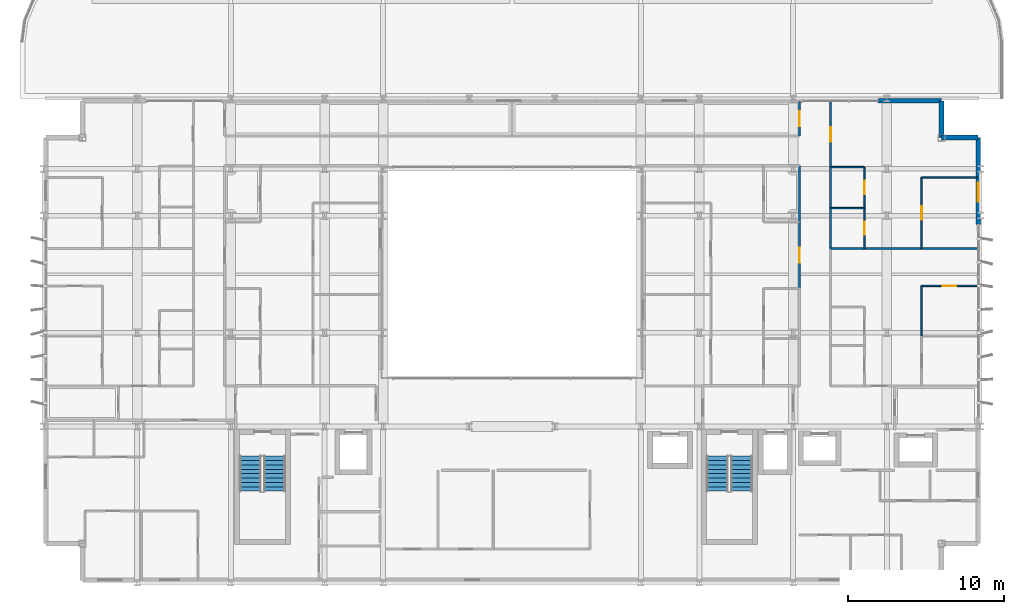
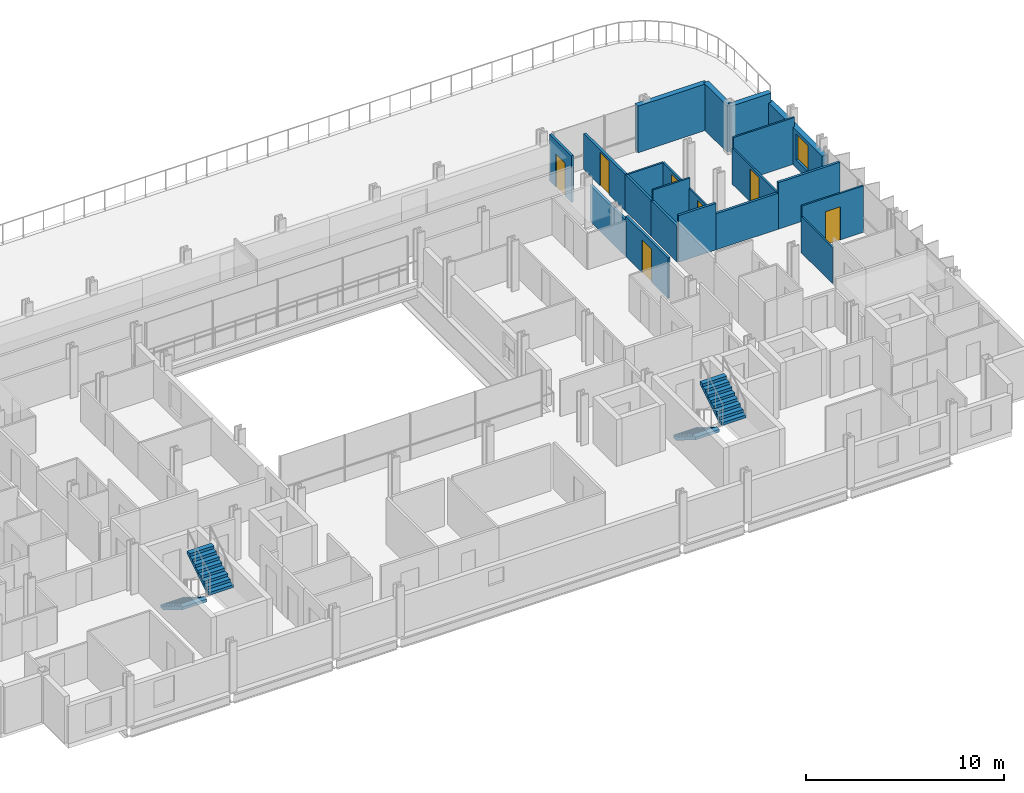
# One storey, part 32 of 38: 21 walls, 7 doors, 4 stair flights, 1 window, 8 openings, 2 elements without a shape of their own.
"""IFC4 building model written with IfcOpenShell, lengths in metres."""

from ifc_helpers import new_model, si_unit, direction, frame, frame_2d, origin, place, context, subcontext, project, spatial, polyline, rectangle, outline, extrude, material, layer, layer_set, type_object, element, fill, aggregate, save


model = new_model("IFC4")

# Units and contexts
model_context = context("Model", 3, precision=1e-05, world=origin(), true_north=direction((0.0, 1.0)))
body_context = subcontext(model_context, "Body", "Model", "MODEL_VIEW")
ifc_project = project(units=[si_unit("LENGTHUNIT", "METRE"), si_unit("AREAUNIT", "SQUARE_METRE"), si_unit("VOLUMEUNIT", "CUBIC_METRE"), si_unit("PLANEANGLEUNIT", "RADIAN"), si_unit("MASSUNIT", "GRAM", prefix="KILO")], contexts=[model_context])

# Site, building, storey
site_placement = place(None, origin())
site = spatial("IfcSite", under=ifc_project, at=site_placement, CompositionType="ELEMENT")
building_placement = place(site_placement, origin())
building = spatial("IfcBuilding", under=site, at=building_placement, Name="Brevholm Reach", CompositionType="ELEMENT")
storey_placement = place(building_placement, frame((0.0, 0.0, 28.0)))
storey = spatial("IfcBuildingStorey", under=building, at=storey_placement, Name="L06", CompositionType="ELEMENT", Elevation=28.0)

# Walls
ifc_material_1 = material(Name="Concrete C40/50", Category="concrete")
ifc_layer_1 = layer(ifc_material_1, 0.300048828125)
ifc_layer_set_1 = layer_set([ifc_layer_1], Name="Concrete C40/50")
wall_type_1 = type_object("IfcWallType", Name="WAL-EXT-300", PredefinedType="STANDARD", material=ifc_layer_set_1)
for number, where, z_axis, x_axis, name in (
    (1, (59.85009765625, 28.5, 0.0), (0.0, 0.0, 1.0), (-1.0, 0.0, 0.0), "L06 Facade Wall WAL-L06-CNE1"),
    (2, (57.5, 28.5, 0.0), (0.0, 0.0, 1.0), (0.0, 1.0, 0.0), "L06 Facade Wall WAL-L06-CNE2"),
):
    element("IfcWall", number, at=place(storey_placement, frame(where, z_axis=z_axis, x_axis=x_axis)), inside=storey, type_object=wall_type_1, Name=name, PredefinedType="STANDARD", context=body_context, shape_type="SweptSolid", body=[
        extrude(rectangle(XDim=2.35009765625, YDim=0.300048828125, at=frame_2d((1.175048828125, 0.0))), origin(), (0.0, 0.0, 1.0), 2.8701171875),
    ])

# Wall, opening, window
wall_1_placement = place(storey_placement, frame((59.85009765625, 22.949951171875, 0.0), z_axis=(0.0, 0.0, 1.0), x_axis=(0.0, 1.0, 0.0)))
wall_1 = element("IfcWall", 3, at=wall_1_placement, inside=storey, type_object=wall_type_1, Name="L06 Facade Wall WAL-L06-E-N", PredefinedType="STANDARD", context=body_context, shape_type="SweptSolid", body=[
    extrude(rectangle(XDim=5.550048828125, YDim=0.300048828125, at=frame_2d((2.77490234375, 0.0))), origin(), (0.0, 0.0, 1.0), 2.305419921875),
])
opening_1_placement = place(wall_1_placement, frame((1.449951171875, 0.0, 0.485107421875)))
opening_1 = element("IfcOpeningElement", 4, at=opening_1_placement, cuts=wall_1, Name="Opening WN-08", PredefinedType="OPENING", context=body_context, shape_type="SweptSolid", body=[
    extrude(rectangle(XDim=1.199951171875, YDim=1.60009765625, at=frame_2d((0.60009765625, 0.800048828125))), frame((0.0, 0.159912109375, 0.0), z_axis=(0.0, -1.0, 0.0), x_axis=(1.0, 0.0, 0.0)), (0.0, 0.0, 1.0), 0.320068359375),
])
ifc_material_2 = material(Name="Dark Anodised Aluminium and Solar-Control IGU Glass", Category="aluminium")
window_type = type_object("IfcWindowType", Name="WIN-RES-1200", PartitioningType="SINGLE_PANEL", PredefinedType="WINDOW", material=ifc_material_2)
window_placement = place(opening_1_placement, origin())
window = element("IfcWindow", 5, at=window_placement, inside=storey, type_object=window_type, Name="L06 Window WIN-L06-EN-1", OverallHeight=1.60009765625, OverallWidth=1.199951171875, PartitioningType="SINGLE_PANEL", PredefinedType="WINDOW", context=body_context, shape_type="SweptSolid", body=[
    extrude(rectangle(XDim=1.199951171875, YDim=1.60009765625, at=frame_2d((0.60009765625, 0.800048828125))), frame((0.0, 0.030029296875, 0.0), z_axis=(0.0, -1.0, 0.0), x_axis=(1.0, 0.0, 0.0)), (0.0, 0.0, 1.0), 0.06005859375),
])
fill(opening_1, window)

# Wall
wall_2_placement = place(storey_placement, frame((53.449951171875, 30.85009765625, 0.0), z_axis=(0.0, 0.0, 1.0), x_axis=(1.0, 0.0, 0.0)))
element("IfcWall", 6, at=wall_2_placement, inside=storey, type_object=wall_type_1, Name="L06 Facade Wall WAL-L06-NP-E0", PredefinedType="STANDARD", context=body_context, shape_type="SweptSolid", body=[
    extrude(rectangle(XDim=4.050048828125, YDim=0.300048828125, at=frame_2d((2.02490234375, 0.0))), origin(), (0.0, 0.0, 1.0), 2.8701171875),
])

# Wall, opening, door
ifc_material_3 = material(Name="Moisture-Resistant Acoustic Gypsum Stud Partition 100 mm", Category="gypsum")
ifc_layer_2 = layer(ifc_material_3, 0.10009765625)
ifc_layer_set_2 = layer_set([ifc_layer_2], Name="Moisture-Resistant Acoustic Gypsum Stud Partition 100 mm")
wall_type_2 = type_object("IfcWallType", Name="WAL-PRT-100", PredefinedType="PARTITIONING", material=ifc_layer_set_2)
wall_3_placement = place(storey_placement, frame((56.22802734375, 19.0, 0.0), z_axis=(0.0, 0.0, 1.0), x_axis=(1.0, 0.0, 0.0)))
wall_3 = element("IfcWall", 7, at=wall_3_placement, inside=storey, type_object=wall_type_2, Name="L06 Internal Partition 134", PredefinedType="PARTITIONING", context=body_context, shape_type="SweptSolid", body=[
    extrude(rectangle(XDim=3.572021484375, YDim=0.10009765625, at=frame_2d((1.7861328125, 0.0))), origin(), (0.0, 0.0, 1.0), 2.8701171875),
])
opening_2_placement = place(wall_3_placement, frame((1.345947265625, 0.0, 0.0)))
opening_2 = element("IfcOpeningElement", 8, at=opening_2_placement, cuts=wall_3, Name="Opening ID-01", PredefinedType="OPENING", context=body_context, shape_type="SweptSolid", body=[
    extrude(rectangle(XDim=0.8798828125, YDim=2.0400390625, at=frame_2d((0.43994140625, 1.02001953125))), frame((0.0, 0.06005859375, 0.0), z_axis=(0.0, -1.0, 0.0), x_axis=(1.0, 0.0, 0.0)), (0.0, 0.0, 1.0), 0.1201171875),
])
ifc_material_4 = material(Name="Lacquered Ash Solid-Core Acoustic Internal Door", Category="timber")
door_type_1 = type_object("IfcDoorType", Name="DOR-INT-880", OperationType="NOTDEFINED", PredefinedType="DOOR", material=ifc_material_4)
door_1_placement = place(opening_2_placement, origin())
door_1 = element("IfcDoor", 9, at=door_1_placement, inside=storey, type_object=door_type_1, Name="L06 Internal Door 052", OperationType="SINGLE_SWING_LEFT", OverallHeight=2.0400390625, OverallWidth=0.8798828125, PredefinedType="DOOR", context=body_context, shape_type="SweptSolid", body=[
    extrude(rectangle(XDim=0.8798828125, YDim=2.0400390625, at=frame_2d((0.43994140625, 1.02001953125))), frame((0.0, 0.02490234375, 0.0), z_axis=(0.0, -1.0, 0.0), x_axis=(1.0, 0.0, 0.0)), (0.0, 0.0, 1.0), 0.050048828125),
])
fill(opening_2, door_1)

# Walls
wall_4_placement = place(storey_placement, frame((56.22802734375, 15.803955078125, 0.0), z_axis=(0.0, 0.0, 1.0), x_axis=(0.0, 1.0, 0.0)))
element("IfcWall", 10, at=wall_4_placement, inside=storey, type_object=wall_type_2, Name="L06 Internal Partition 135", PredefinedType="PARTITIONING", context=body_context, shape_type="SweptSolid", body=[
    extrude(rectangle(XDim=3.196044921875, YDim=0.10009765625, at=frame_2d((1.59814453125, 0.0))), origin(), (0.0, 0.0, 1.0), 2.224853515625),
])
wall_5_placement = place(storey_placement, frame((50.404052734375, 23.97802734375, 0.0), z_axis=(0.0, 0.0, 1.0), x_axis=(1.0, 0.0, 0.0)))
element("IfcWall", 11, at=wall_5_placement, inside=storey, type_object=wall_type_2, Name="L06 Internal Partition 139", PredefinedType="PARTITIONING", context=body_context, shape_type="SweptSolid", body=[
    extrude(rectangle(XDim=2.157958984375, YDim=0.10009765625, at=frame_2d((1.0791015625, 0.0))), origin(), (0.0, 0.0, 1.0), 2.8701171875),
])

# Wall, opening, door
wall_6_placement = place(storey_placement, frame((52.56201171875, 21.404052734375, 0.0), z_axis=(0.0, 0.0, 1.0), x_axis=(0.0, 1.0, 0.0)))
wall_6 = element("IfcWall", 12, at=wall_6_placement, inside=storey, type_object=wall_type_2, Name="L06 Internal Partition 140", PredefinedType="PARTITIONING", context=body_context, shape_type="SweptSolid", body=[
    extrude(rectangle(XDim=2.573974609375, YDim=0.10009765625, at=frame_2d((1.287109375, 0.0))), origin(), (0.0, 0.0, 1.0), 2.224853515625),
])
opening_3_placement = place(wall_6_placement, frame((0.876953125, 0.0, 0.0)))
opening_3 = element("IfcOpeningElement", 13, at=opening_3_placement, cuts=wall_6, Name="Opening ID-03", PredefinedType="OPENING", context=body_context, shape_type="SweptSolid", body=[
    extrude(rectangle(XDim=0.820068359375, YDim=2.02001953125, at=frame_2d((0.41015625, 1.010009765625))), frame((0.0, 0.06005859375, 0.0), z_axis=(0.0, -1.0, 0.0), x_axis=(1.0, 0.0, 0.0)), (0.0, 0.0, 1.0), 0.1201171875),
])
ifc_material_5 = material(Name="Moisture-Resistant Painted Timber Internal Bathroom Door", Category="wood")
door_type_2 = type_object("IfcDoorType", Name="DOR-BATH-820", OperationType="NOTDEFINED", PredefinedType="DOOR", material=ifc_material_5)
door_2_placement = place(opening_3_placement, origin())
door_2 = element("IfcDoor", 14, at=door_2_placement, inside=storey, type_object=door_type_2, Name="L06 Internal Door 053", OperationType="SINGLE_SWING_RIGHT", OverallHeight=2.02001953125, OverallWidth=0.820068359375, PredefinedType="DOOR", context=body_context, shape_type="SweptSolid", body=[
    extrude(rectangle(XDim=0.820068359375, YDim=2.02001953125, at=frame_2d((0.41015625, 1.010009765625))), frame((0.0, 0.02490234375, 0.0), z_axis=(0.0, -1.0, 0.0), x_axis=(1.0, 0.0, 0.0)), (0.0, 0.0, 1.0), 0.050048828125),
])
fill(opening_3, door_2)

wall_7_placement = place(storey_placement, frame((52.56201171875, 23.98193359375, 0.0), z_axis=(0.0, 0.0, 1.0), x_axis=(0.0, 1.0, 0.0)))
wall_7 = element("IfcWall", 15, at=wall_7_placement, inside=storey, type_object=wall_type_2, Name="L06 Internal Partition 141", PredefinedType="PARTITIONING", context=body_context, shape_type="SweptSolid", body=[
    extrude(rectangle(XDim=2.628173828125, YDim=0.10009765625, at=frame_2d((1.31396484375, 0.0))), origin(), (0.0, 0.0, 1.0), 2.224853515625),
])
opening_4_placement = place(wall_7_placement, frame((0.8740234375, 0.0, 0.0)))
opening_4 = element("IfcOpeningElement", 16, at=opening_4_placement, cuts=wall_7, Name="Opening ID-01", PredefinedType="OPENING", context=body_context, shape_type="SweptSolid", body=[
    extrude(rectangle(XDim=0.8798828125, YDim=2.0400390625, at=frame_2d((0.43994140625, 1.02001953125))), frame((0.0, 0.06005859375, 0.0), z_axis=(0.0, -1.0, 0.0), x_axis=(1.0, 0.0, 0.0)), (0.0, 0.0, 1.0), 0.1201171875),
])
door_3_placement = place(opening_4_placement, origin())
door_3 = element("IfcDoor", 17, at=door_3_placement, inside=storey, type_object=door_type_1, Name="L06 Internal Door 054", OperationType="SINGLE_SWING_LEFT", OverallHeight=2.0400390625, OverallWidth=0.8798828125, PredefinedType="DOOR", context=body_context, shape_type="SweptSolid", body=[
    extrude(rectangle(XDim=0.8798828125, YDim=2.0400390625, at=frame_2d((0.43994140625, 1.02001953125))), frame((0.0, 0.02490234375, 0.0), z_axis=(0.0, -1.0, 0.0), x_axis=(1.0, 0.0, 0.0)), (0.0, 0.0, 1.0), 0.050048828125),
])
fill(opening_4, door_3)

# Walls
wall_8_placement = place(storey_placement, frame((50.404052734375, 26.610107421875, 0.0), z_axis=(0.0, 0.0, 1.0), x_axis=(1.0, 0.0, 0.0)))
element("IfcWall", 18, at=wall_8_placement, inside=storey, type_object=wall_type_2, Name="L06 Internal Partition 142", PredefinedType="PARTITIONING", context=body_context, shape_type="SweptSolid", body=[
    extrude(rectangle(XDim=2.157958984375, YDim=0.10009765625, at=frame_2d((1.0791015625, 0.0))), origin(), (0.0, 0.0, 1.0), 2.224853515625),
])
wall_9_placement = place(storey_placement, frame((56.22802734375, 25.949951171875, 0.0), z_axis=(0.0, 0.0, 1.0), x_axis=(1.0, 0.0, 0.0)))
element("IfcWall", 19, at=wall_9_placement, inside=storey, type_object=wall_type_2, Name="L06 Internal Partition 143", PredefinedType="PARTITIONING", context=body_context, shape_type="SweptSolid", body=[
    extrude(rectangle(XDim=3.572021484375, YDim=0.10009765625, at=frame_2d((1.7861328125, 0.0))), origin(), (0.0, 0.0, 1.0), 2.8701171875),
])

# Wall, opening, door
wall_10_placement = place(storey_placement, frame((56.22802734375, 21.404052734375, 0.0), z_axis=(0.0, 0.0, 1.0), x_axis=(0.0, 1.0, 0.0)))
wall_10 = element("IfcWall", 20, at=wall_10_placement, inside=storey, type_object=wall_type_2, Name="L06 Internal Partition 144", PredefinedType="PARTITIONING", context=body_context, shape_type="SweptSolid", body=[
    extrude(rectangle(XDim=4.5458984375, YDim=0.10009765625, at=frame_2d((2.27294921875, 0.0))), origin(), (0.0, 0.0, 1.0), 2.224853515625),
])
opening_5_placement = place(wall_10_placement, frame((1.8330078125, 0.0, 0.0)))
opening_5 = element("IfcOpeningElement", 21, at=opening_5_placement, cuts=wall_10, Name="Opening ID-01", PredefinedType="OPENING", context=body_context, shape_type="SweptSolid", body=[
    extrude(rectangle(XDim=0.8798828125, YDim=2.0400390625, at=frame_2d((0.43994140625, 1.02001953125))), frame((0.0, 0.06005859375, 0.0), z_axis=(0.0, -1.0, 0.0), x_axis=(1.0, 0.0, 0.0)), (0.0, 0.0, 1.0), 0.1201171875),
])
door_4_placement = place(opening_5_placement, origin())
door_4 = element("IfcDoor", 22, at=door_4_placement, inside=storey, type_object=door_type_1, Name="L06 Internal Door 055", OperationType="SINGLE_SWING_RIGHT", OverallHeight=2.0400390625, OverallWidth=0.8798828125, PredefinedType="DOOR", context=body_context, shape_type="SweptSolid", body=[
    extrude(rectangle(XDim=0.8798828125, YDim=2.0400390625, at=frame_2d((0.43994140625, 1.02001953125))), frame((0.0, 0.02490234375, 0.0), z_axis=(0.0, -1.0, 0.0), x_axis=(1.0, 0.0, 0.0)), (0.0, 0.0, 1.0), 0.050048828125),
])
fill(opening_5, door_4)

# Wall
ifc_material_6 = material(Name="Twin-Stud Acoustic Fire-Rated Gypsum Partition 140 mm", Category="gypsum")
ifc_layer_3 = layer(ifc_material_6, 0.139892578125)
ifc_layer_set_3 = layer_set([ifc_layer_3], Name="Twin-Stud Acoustic Fire-Rated Gypsum Partition 140 mm")
wall_type_3 = type_object("IfcWallType", Name="WAL-PRT-140", PredefinedType="PARTITIONING", material=ifc_layer_set_3)
wall_11_placement = place(storey_placement, frame((48.39990234375, 23.088623046875, 0.0), z_axis=(0.0, 0.0, 1.0), x_axis=(0.0, 1.0, 0.0)))
element("IfcWall", 23, at=wall_11_placement, inside=storey, type_object=wall_type_3, Name="L06 Internal Partition 051", PredefinedType="PARTITIONING", context=body_context, shape_type="SweptSolid", body=[
    extrude(rectangle(XDim=3.61865234375, YDim=0.139892578125, at=frame_2d((1.809326171875, 0.0))), origin(), (0.0, 0.0, 1.0), 2.224853515625),
])

# Wall, opening, door
wall_12_placement = place(storey_placement, frame((48.39990234375, 18.8427734375, 0.0), z_axis=(0.0, 0.0, 1.0), x_axis=(0.0, 1.0, 0.0)))
wall_12 = element("IfcWall", 24, at=wall_12_placement, inside=storey, type_object=wall_type_3, Name="L06 Internal Partition 052", PredefinedType="PARTITIONING", context=body_context, shape_type="SweptSolid", body=[
    extrude(rectangle(XDim=4.2646484375, YDim=0.139892578125, at=frame_2d((2.13232421875, 0.0))), origin(), (0.0, 0.0, 1.0), 2.489990234375),
])
opening_6_placement = place(wall_12_placement, frame((1.6572265625, 0.0, 0.0)))
opening_6 = element("IfcOpeningElement", 25, at=opening_6_placement, cuts=wall_12, Name="Opening ID-30", PredefinedType="OPENING", context=body_context, shape_type="SweptSolid", body=[
    extrude(rectangle(XDim=0.949951171875, YDim=2.050048828125, at=frame_2d((0.47509765625, 1.02490234375))), frame((0.0, 0.079833984375, 0.0), z_axis=(0.0, -1.0, 0.0), x_axis=(1.0, 0.0, 0.0)), (0.0, 0.0, 1.0), 0.159912109375),
])
ifc_material_7 = material(Name="European Oak Veneered Solid-Core Fire Entrance Door", Category="timber")
door_type_3 = type_object("IfcDoorType", Name="DOR-FLT-FD30S", OperationType="NOTDEFINED", PredefinedType="DOOR", material=ifc_material_7)
door_5_placement = place(opening_6_placement, origin())
door_5 = element("IfcDoor", 26, at=door_5_placement, inside=storey, type_object=door_type_3, Name="L06 Internal Door 021", OperationType="SINGLE_SWING_RIGHT", OverallHeight=2.050048828125, OverallWidth=0.949951171875, PredefinedType="DOOR", context=body_context, shape_type="SweptSolid", body=[
    extrude(rectangle(XDim=0.949951171875, YDim=2.050048828125, at=frame_2d((0.47509765625, 1.02490234375))), frame((0.0, 0.02490234375, 0.0), z_axis=(0.0, -1.0, 0.0), x_axis=(1.0, 0.0, 0.0)), (0.0, 0.0, 1.0), 0.050048828125),
])
fill(opening_6, door_5)

# Walls
wall_13_placement = place(storey_placement, frame((50.39990234375, 21.392578125, 0.0), z_axis=(0.0, 0.0, 1.0), x_axis=(0.0, 1.0, 0.0)))
element("IfcWall", 27, at=wall_13_placement, inside=storey, type_object=wall_type_3, Name="L06 Internal Partition 056", PredefinedType="PARTITIONING", context=body_context, shape_type="SweptSolid", body=[
    extrude(rectangle(XDim=2.5966796875, YDim=0.139892578125, at=frame_2d((1.29833984375, 0.0))), origin(), (0.0, 0.0, 1.0), 2.224853515625),
])
wall_14_placement = place(storey_placement, frame((50.39990234375, 23.970703125, 0.0), z_axis=(0.0, 0.0, 1.0), x_axis=(0.0, 1.0, 0.0)))
element("IfcWall", 28, at=wall_14_placement, inside=storey, type_object=wall_type_3, Name="L06 Internal Partition 057", PredefinedType="PARTITIONING", context=body_context, shape_type="SweptSolid", body=[
    extrude(rectangle(XDim=2.650634765625, YDim=0.139892578125, at=frame_2d((1.3251953125, 0.0))), origin(), (0.0, 0.0, 1.0), 2.224853515625),
])

# Wall, opening, door
wall_15_placement = place(storey_placement, frame((50.39990234375, 26.602783203125, 0.0), z_axis=(0.0, 0.0, 1.0), x_axis=(0.0, 1.0, 0.0)))
wall_15 = element("IfcWall", 29, at=wall_15_placement, inside=storey, type_object=wall_type_3, Name="L06 Internal Partition 058", PredefinedType="PARTITIONING", context=body_context, shape_type="SweptSolid", body=[
    extrude(rectangle(XDim=4.197265625, YDim=0.139892578125, at=frame_2d((2.0986328125, 0.0))), origin(), (0.0, 0.0, 1.0), 2.224853515625),
])
opening_7_placement = place(wall_15_placement, frame((1.623779296875, 0.0, 0.0)))
opening_7 = element("IfcOpeningElement", 30, at=opening_7_placement, cuts=wall_15, Name="Opening ID-30", PredefinedType="OPENING", context=body_context, shape_type="SweptSolid", body=[
    extrude(rectangle(XDim=0.949951171875, YDim=2.050048828125, at=frame_2d((0.47509765625, 1.02490234375))), frame((0.0, 0.079833984375, 0.0), z_axis=(0.0, -1.0, 0.0), x_axis=(1.0, 0.0, 0.0)), (0.0, 0.0, 1.0), 0.159912109375),
])
door_6_placement = place(opening_7_placement, origin())
door_6 = element("IfcDoor", 31, at=door_6_placement, inside=storey, type_object=door_type_3, Name="L06 Internal Door 022", OperationType="SINGLE_SWING_LEFT", OverallHeight=2.050048828125, OverallWidth=0.949951171875, PredefinedType="DOOR", context=body_context, shape_type="SweptSolid", body=[
    extrude(rectangle(XDim=0.949951171875, YDim=2.050048828125, at=frame_2d((0.47509765625, 1.02490234375))), frame((0.0, 0.02490234375, 0.0), z_axis=(0.0, -1.0, 0.0), x_axis=(1.0, 0.0, 0.0)), (0.0, 0.0, 1.0), 0.050048828125),
])
fill(opening_7, door_6)

wall_16_placement = place(storey_placement, frame((48.39990234375, 28.5927734375, 0.0), z_axis=(0.0, 0.0, 1.0), x_axis=(0.0, 1.0, 0.0)))
wall_16 = element("IfcWall", 32, at=wall_16_placement, inside=storey, type_object=wall_type_3, Name="L06 Internal Partition 059", PredefinedType="PARTITIONING", context=body_context, shape_type="SweptSolid", body=[
    extrude(rectangle(XDim=2.207275390625, YDim=0.139892578125, at=frame_2d((1.103515625, 0.0))), origin(), (0.0, 0.0, 1.0), 2.8701171875),
])
opening_8_placement = place(wall_16_placement, frame((0.628662109375, 0.0, 0.0)))
opening_8 = element("IfcOpeningElement", 33, at=opening_8_placement, cuts=wall_16, Name="Opening ID-30", PredefinedType="OPENING", context=body_context, shape_type="SweptSolid", body=[
    extrude(rectangle(XDim=0.949951171875, YDim=2.050048828125, at=frame_2d((0.47509765625, 1.02490234375))), frame((0.0, 0.079833984375, 0.0), z_axis=(0.0, -1.0, 0.0), x_axis=(1.0, 0.0, 0.0)), (0.0, 0.0, 1.0), 0.159912109375),
])
door_7_placement = place(opening_8_placement, origin())
door_7 = element("IfcDoor", 34, at=door_7_placement, inside=storey, type_object=door_type_3, Name="L06 Internal Door 023", OperationType="SINGLE_SWING_RIGHT", OverallHeight=2.050048828125, OverallWidth=0.949951171875, PredefinedType="DOOR", context=body_context, shape_type="SweptSolid", body=[
    extrude(rectangle(XDim=0.949951171875, YDim=2.050048828125, at=frame_2d((0.47509765625, 1.02490234375))), frame((0.0, 0.02490234375, 0.0), z_axis=(0.0, -1.0, 0.0), x_axis=(1.0, 0.0, 0.0)), (0.0, 0.0, 1.0), 0.050048828125),
])
fill(opening_8, door_7)

# Walls
wall_17_placement = place(storey_placement, frame((50.404052734375, 21.39990234375, 0.0), z_axis=(0.0, 0.0, 1.0), x_axis=(1.0, 0.0, 0.0)))
element("IfcWall", 35, at=wall_17_placement, inside=storey, type_object=wall_type_3, Name="L06 Internal Partition 136", PredefinedType="PARTITIONING", context=body_context, shape_type="SweptSolid", body=[
    extrude(rectangle(XDim=2.169189453125, YDim=0.139892578125, at=frame_2d((1.08447265625, 0.0))), origin(), (0.0, 0.0, 1.0), 2.8701171875),
])
wall_18_placement = place(storey_placement, frame((56.216796875, 21.39990234375, 0.0), z_axis=(0.0, 0.0, 1.0), x_axis=(1.0, 0.0, 0.0)))
element("IfcWall", 36, at=wall_18_placement, inside=storey, type_object=wall_type_3, Name="L06 Internal Partition 137", PredefinedType="PARTITIONING", context=body_context, shape_type="SweptSolid", body=[
    extrude(rectangle(XDim=3.583251953125, YDim=0.139892578125, at=frame_2d((1.79150390625, 0.0))), origin(), (0.0, 0.0, 1.0), 2.8701171875),
])
wall_19_placement = place(storey_placement, frame((52.5546875, 21.39990234375, 0.0), z_axis=(0.0, 0.0, 1.0), x_axis=(1.0, 0.0, 0.0)))
element("IfcWall", 37, at=wall_19_placement, inside=storey, type_object=wall_type_3, Name="L06 Internal Partition 138", PredefinedType="PARTITIONING", context=body_context, shape_type="SweptSolid", body=[
    extrude(rectangle(XDim=3.6806640625, YDim=0.139892578125, at=frame_2d((1.84033203125, 0.0))), origin(), (0.0, 0.0, 1.0), 2.224853515625),
])

# Stair, stair flights
ifc_material_8 = material(Name="Precast Concrete C40/50", Category="concrete")
stair_type = type_object("IfcStairType", Name="STR-ESC-1400", PredefinedType="DOUBLE_RETURN_STAIR", material=ifc_material_8)
stair_1_placement = place(storey_placement, origin())
stair_1 = element("IfcStair", 38, at=stair_1_placement, inside=storey, type_object=stair_type, Name="L06 ST-1", PredefinedType="DOUBLE_RETURN_STAIR")
ifc_material_9 = material(Name="Precast Concrete C40/50", Category="concrete")
ifc_layer_4 = layer(ifc_material_9, 0.18505859375)
ifc_layer_set_4 = layer_set([ifc_layer_4], Name="Precast Concrete C40/50")
stair_flight_type = type_object("IfcStairFlightType", Name="STF-PRC-185", PredefinedType="STRAIGHT", material=ifc_layer_set_4)
stair_flight_1_placement = place(storey_placement, frame((13.25, 8.10009765625, 0.0), z_axis=(0.0, 0.0, 1.0), x_axis=(0.0, -1.0, 0.0)))
stair_flight_1 = element("IfcStairFlight", 39, at=stair_flight_1_placement, type_object=stair_flight_type, Name="ST-1 flight 1", NumberOfRisers=9, NumberOfTreads=8, PredefinedType="STRAIGHT", RiserHeight=0.172222222, TreadLength=0.28, context=body_context, shape_type="SweptSolid", body=[
    extrude(outline(polyline([(0.0, 0.0), (0.0, 0.172119140625), (0.280029296875, 0.172119140625), (0.280029296875, 0.344482421875), (0.56005859375, 0.344482421875), (0.56005859375, 0.5166015625), (0.840087890625, 0.5166015625), (0.840087890625, 0.68896484375), (1.1201171875, 0.68896484375), (1.1201171875, 0.861083984375), (1.39990234375, 0.861083984375), (1.39990234375, 1.033447265625), (1.679931640625, 1.033447265625), (1.679931640625, 1.20556640625), (1.9599609375, 1.20556640625), (1.9599609375, 1.377685546875), (2.239990234375, 1.377685546875), (2.239990234375, 1.550048828125), (2.239990234375, 1.201904296875), (0.2861328125, 0.0), (0.0, 0.0)])), frame((0.0, 0.699951171875, 0.0), z_axis=(0.0, -1.0, 0.0), x_axis=(1.0, 0.0, 0.0)), (0.0, 0.0, 1.0), 1.39990234375),
])
stair_flight_2_placement = place(storey_placement, frame((14.800048828125, 5.860107421875, 1.550048828125), z_axis=(0.0, 0.0, 1.0), x_axis=(0.0, 1.0, 0.0)))
stair_flight_2 = element("IfcStairFlight", 40, at=stair_flight_2_placement, type_object=stair_flight_type, Name="ST-1 flight 2", NumberOfRisers=9, NumberOfTreads=8, PredefinedType="STRAIGHT", RiserHeight=0.172222222, TreadLength=0.28, context=body_context, shape_type="SweptSolid", body=[
    extrude(outline(polyline([(0.0, 0.0), (0.0, 0.172119140625), (0.280029296875, 0.172119140625), (0.280029296875, 0.344482421875), (0.56005859375, 0.344482421875), (0.56005859375, 0.5166015625), (0.840087890625, 0.5166015625), (0.840087890625, 0.68896484375), (1.1201171875, 0.68896484375), (1.1201171875, 0.861083984375), (1.39990234375, 0.861083984375), (1.39990234375, 1.033447265625), (1.679931640625, 1.033447265625), (1.679931640625, 1.20556640625), (1.9599609375, 1.20556640625), (1.9599609375, 1.377685546875), (2.239990234375, 1.377685546875), (2.239990234375, 1.550048828125), (2.239990234375, 1.201904296875), (0.2861328125, 0.0), (0.0, 0.0)])), frame((0.0, 0.699951171875, 0.0), z_axis=(0.0, -1.0, 0.0), x_axis=(1.0, 0.0, 0.0)), (0.0, 0.0, 1.0), 1.39990234375),
])
aggregate(stair_1, [stair_flight_1, stair_flight_2])

stair_2_placement = place(storey_placement, origin())
stair_2 = element("IfcStair", 41, at=stair_2_placement, inside=storey, type_object=stair_type, Name="L06 ST-2", PredefinedType="DOUBLE_RETURN_STAIR")
stair_flight_3_placement = place(storey_placement, frame((43.14990234375, 8.10009765625, 0.0), z_axis=(0.0, 0.0, 1.0), x_axis=(0.0, -1.0, 0.0)))
stair_flight_3 = element("IfcStairFlight", 42, at=stair_flight_3_placement, type_object=stair_flight_type, Name="ST-2 flight 1", NumberOfRisers=9, NumberOfTreads=8, PredefinedType="STRAIGHT", RiserHeight=0.172222222, TreadLength=0.28, context=body_context, shape_type="SweptSolid", body=[
    extrude(outline(polyline([(0.0, 0.0), (0.0, 0.172119140625), (0.280029296875, 0.172119140625), (0.280029296875, 0.344482421875), (0.56005859375, 0.344482421875), (0.56005859375, 0.5166015625), (0.840087890625, 0.5166015625), (0.840087890625, 0.68896484375), (1.1201171875, 0.68896484375), (1.1201171875, 0.861083984375), (1.39990234375, 0.861083984375), (1.39990234375, 1.033447265625), (1.679931640625, 1.033447265625), (1.679931640625, 1.20556640625), (1.9599609375, 1.20556640625), (1.9599609375, 1.377685546875), (2.239990234375, 1.377685546875), (2.239990234375, 1.550048828125), (2.239990234375, 1.201904296875), (0.2861328125, 0.0), (0.0, 0.0)])), frame((0.0, 0.699951171875, 0.0), z_axis=(0.0, -1.0, 0.0), x_axis=(1.0, 0.0, 0.0)), (0.0, 0.0, 1.0), 1.39990234375),
])
stair_flight_4_placement = place(storey_placement, frame((44.699951171875, 5.860107421875, 1.550048828125), z_axis=(0.0, 0.0, 1.0), x_axis=(0.0, 1.0, 0.0)))
stair_flight_4 = element("IfcStairFlight", 43, at=stair_flight_4_placement, type_object=stair_flight_type, Name="ST-2 flight 2", NumberOfRisers=9, NumberOfTreads=8, PredefinedType="STRAIGHT", RiserHeight=0.172222222, TreadLength=0.28, context=body_context, shape_type="SweptSolid", body=[
    extrude(outline(polyline([(0.0, 0.0), (0.0, 0.172119140625), (0.280029296875, 0.172119140625), (0.280029296875, 0.344482421875), (0.56005859375, 0.344482421875), (0.56005859375, 0.5166015625), (0.840087890625, 0.5166015625), (0.840087890625, 0.68896484375), (1.1201171875, 0.68896484375), (1.1201171875, 0.861083984375), (1.39990234375, 0.861083984375), (1.39990234375, 1.033447265625), (1.679931640625, 1.033447265625), (1.679931640625, 1.20556640625), (1.9599609375, 1.20556640625), (1.9599609375, 1.377685546875), (2.239990234375, 1.377685546875), (2.239990234375, 1.550048828125), (2.239990234375, 1.201904296875), (0.2861328125, 0.0), (0.0, 0.0)])), frame((0.0, 0.699951171875, 0.0), z_axis=(0.0, -1.0, 0.0), x_axis=(1.0, 0.0, 0.0)), (0.0, 0.0, 1.0), 1.39990234375),
])
aggregate(stair_2, [stair_flight_3, stair_flight_4])

save(model, "model.ifc")
